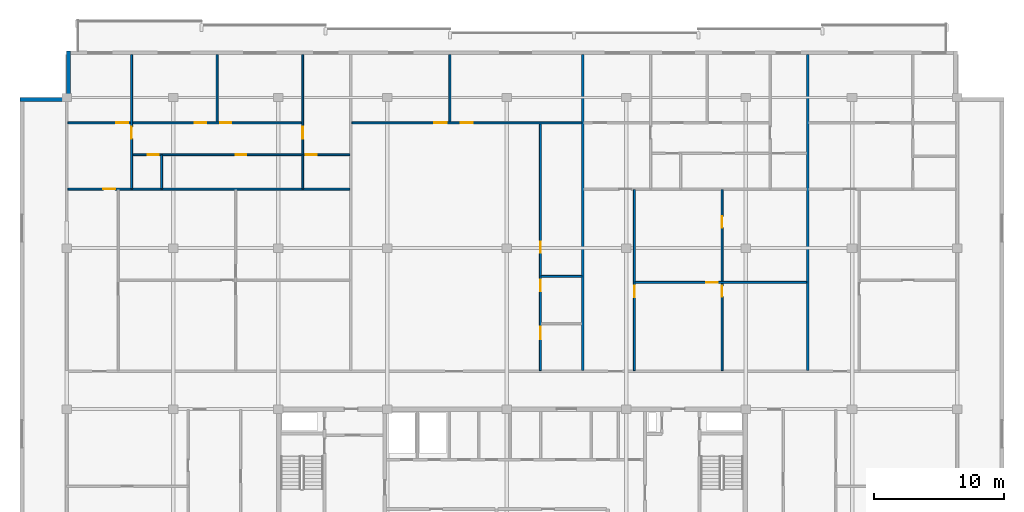
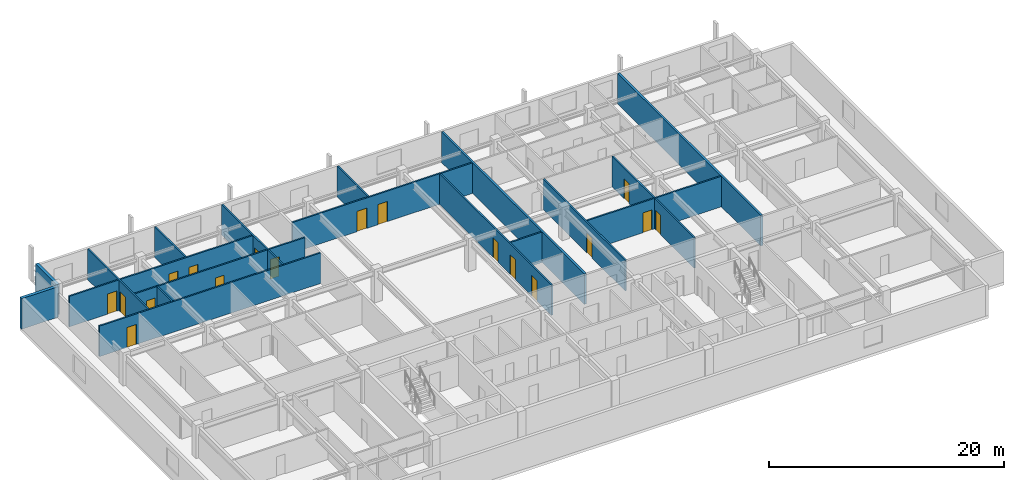
# One storey, part 6 of 10: 19 walls, 18 doors, 18 openings.
"""IFC4 building model written with IfcOpenShell, lengths in metres."""

from ifc_helpers import new_model, si_unit, direction, frame, frame_2d, origin, place, context, subcontext, project, spatial, rectangle, extrude, material, layer, layer_set, type_object, element, fill, save


model = new_model("IFC4")

# Units and contexts
model_context = context("Model", 3, precision=1e-05, world=origin(), true_north=direction((0.0, 1.0)))
body_context = subcontext(model_context, "Body", "Model", "MODEL_VIEW")
ifc_project = project(units=[si_unit("LENGTHUNIT", "METRE"), si_unit("AREAUNIT", "SQUARE_METRE"), si_unit("VOLUMEUNIT", "CUBIC_METRE"), si_unit("PLANEANGLEUNIT", "RADIAN"), si_unit("MASSUNIT", "GRAM", prefix="KILO")], contexts=[model_context])

# Site, building, storey
site_placement = place(None, origin())
site = spatial("IfcSite", under=ifc_project, at=site_placement, CompositionType="ELEMENT")
building_placement = place(site_placement, origin())
building = spatial("IfcBuilding", under=site, at=building_placement, Name="Korimba Cascade Residences", CompositionType="ELEMENT")
storey_placement = place(building_placement, frame((0.0, 0.0, 232.10009765625)))
storey = spatial("IfcBuildingStorey", under=building, at=storey_placement, Name="L67", CompositionType="ELEMENT", Elevation=232.10009765625)

# Walls
ifc_material_1 = material(Name="Precast concrete C40/50", Category="concrete")
ifc_layer_1 = layer(ifc_material_1, 0.300048828125)
ifc_layer_set_1 = layer_set([ifc_layer_1], Name="Precast concrete C40/50")
wall_type_1 = type_object("IfcWallType", Name="EW-STONE-300", PredefinedType="STANDARD", material=ifc_layer_set_1)
for number, where, z_axis, x_axis, name in (
    (1, (59.949951171875, 94.800048828125, 0.0), (0.0, 0.0, 1.0), (0.0, -1.0, 0.0), "L67 T1 Perimeter Stone Wall E07"),
    (2, (59.800048828125, 91.050048828125, 0.0), (0.0, 0.0, 1.0), (-1.0, 0.0, 0.0), "L67 T1 Perimeter Stone Wall E08"),
):
    element("IfcWall", number, at=place(storey_placement, frame(where, z_axis=z_axis, x_axis=x_axis)), inside=storey, type_object=wall_type_1, Name=name, PredefinedType="STANDARD", context=body_context, shape_type="SweptSolid", body=[
        extrude(rectangle(XDim=3.60009765625, YDim=0.300048828125, at=frame_2d((1.800048828125, 0.0))), origin(), (0.0, 0.0, 1.0), 3.169921875),
    ])
ifc_layer_2 = layer(ifc_material_1, 0.199951171875)
ifc_layer_set_2 = layer_set([ifc_layer_2], Name="Precast concrete C40/50")
wall_type_2 = type_object("IfcWallType", Name="WAL-IT-200", PredefinedType="PARTITIONING", material=ifc_layer_set_2)
for number, where, z_axis, x_axis, name in (
    (3, (99.5556640625, 70.179931640625, 0.0), (0.0, 0.0, 1.0), (0.0, 1.0, 0.0), "L67 Partition Wall WAL-L67-T1-DEM-2"),
    (4, (116.86962890625, 70.179931640625, 0.0), (0.0, 0.0, 1.0), (0.0, 1.0, 0.0), "L67 Partition Wall WAL-L67-T1-DEM-3"),
):
    element("IfcWall", number, at=place(storey_placement, frame(where, z_axis=z_axis, x_axis=x_axis)), inside=storey, type_object=wall_type_2, Name=name, PredefinedType="PARTITIONING", context=body_context, shape_type="SweptSolid", body=[
        extrude(rectangle(XDim=24.320068359375, YDim=0.199951171875, at=frame_2d((12.16015625, 0.0))), origin(), (0.0, 0.0, 1.0), 3.169921875),
    ])
ifc_material_2 = material(Name="Insulated Acoustic Stud Partition", Category="gypsum")
ifc_layer_3 = layer(ifc_material_2, 0.14990234375)
ifc_layer_set_3 = layer_set([ifc_layer_3], Name="Insulated Acoustic Stud Partition")
wall_type_3 = type_object("IfcWallType", Name="WAL-PART-150", PredefinedType="PARTITIONING", material=ifc_layer_set_3)
wall_1_placement = place(storey_placement, frame((67.110107421875, 84.18994140625, 0.0), z_axis=(0.0, 0.0, 1.0), x_axis=(0.0, 1.0, 0.0)))
element("IfcWall", 5, at=wall_1_placement, inside=storey, type_object=wall_type_3, Name="L67 Partition Wall WAL-L67-T1-U01-VDRS", PredefinedType="PARTITIONING", context=body_context, shape_type="SweptSolid", body=[
    extrude(rectangle(XDim=2.580078125, YDim=0.14990234375, at=frame_2d((1.2900390625, 0.0))), origin(), (0.0, 0.0, 1.0), 3.169921875),
])
wall_2_placement = place(storey_placement, frame((71.389892578125, 89.330078125, 0.0), z_axis=(0.0, 0.0, 1.0), x_axis=(0.0, 1.0, 0.0)))
element("IfcWall", 6, at=wall_2_placement, inside=storey, type_object=wall_type_3, Name="L67 Partition Wall WAL-L67-T1-U01-VB3", PredefinedType="PARTITIONING", context=body_context, shape_type="SweptSolid", body=[
    extrude(rectangle(XDim=5.169921875, YDim=0.14990234375, at=frame_2d((2.5849609375, 0.0))), origin(), (0.0, 0.0, 1.0), 3.169921875),
])

# Wall, opening, door
wall_3_placement = place(storey_placement, frame((64.800048828125, 84.18994140625, 0.0), z_axis=(0.0, 0.0, 1.0), x_axis=(0.0, 1.0, 0.0)))
wall_3 = element("IfcWall", 7, at=wall_3_placement, inside=storey, type_object=wall_type_3, Name="L67 Partition Wall WAL-L67-T1-U01-V1", PredefinedType="PARTITIONING", context=body_context, shape_type="SweptSolid", body=[
    extrude(rectangle(XDim=10.31005859375, YDim=0.14990234375, at=frame_2d((5.155029296875, 0.0))), origin(), (0.0, 0.0, 1.0), 3.169921875),
])
opening_1_placement = place(wall_3_placement, frame((3.820068359375, 0.0, 0.0)))
opening_1 = element("IfcOpeningElement", 8, at=opening_1_placement, cuts=wall_3, Name="Opening D-IN1", PredefinedType="OPENING", context=body_context, shape_type="SweptSolid", body=[
    extrude(rectangle(XDim=0.919921875, YDim=2.080078125, at=frame_2d((0.4599609375, 1.0400390625))), frame((0.0, 0.0849609375, 0.0), z_axis=(0.0, -1.0, 0.0), x_axis=(1.0, 0.0, 0.0)), (0.0, 0.0, 1.0), 0.169921875),
])
ifc_material_3 = material(Name="Acoustic Timber Living Door", Category="wood")
door_type_1 = type_object("IfcDoorType", Name="DR-INT-920", OperationType="NOTDEFINED", PredefinedType="DOOR", material=ifc_material_3)
door_1_placement = place(opening_1_placement, origin())
door_1 = element("IfcDoor", 9, at=door_1_placement, inside=storey, type_object=door_type_1, Name="L67-T1-U01 Hallway Door", OperationType="SINGLE_SWING_RIGHT", OverallHeight=2.080078125, OverallWidth=0.919921875, PredefinedType="DOOR", context=body_context, shape_type="SweptSolid", body=[
    extrude(rectangle(XDim=0.919921875, YDim=2.080078125, at=frame_2d((0.4599609375, 1.0400390625))), frame((0.0, 0.02490234375, 0.0), z_axis=(0.0, -1.0, 0.0), x_axis=(1.0, 0.0, 0.0)), (0.0, 0.0, 1.0), 0.050048828125),
])
fill(opening_1, door_1)

# Wall
wall_4_placement = place(storey_placement, frame((77.97998046875, 84.18994140625, 0.0), z_axis=(0.0, 0.0, 1.0), x_axis=(0.0, 1.0, 0.0)))
element("IfcWall", 10, at=wall_4_placement, inside=storey, type_object=wall_type_3, Name="L67 Partition Wall WAL-L67-T1-U01-VBATH", PredefinedType="PARTITIONING", context=body_context, shape_type="SweptSolid", body=[
    extrude(rectangle(XDim=2.580078125, YDim=0.14990234375, at=frame_2d((1.2900390625, 0.0))), origin(), (0.0, 0.0, 1.0), 3.169921875),
])

# Wall, opening, door
wall_5_placement = place(storey_placement, frame((77.97998046875, 86.81005859375, 0.0), z_axis=(0.0, 0.0, 1.0), x_axis=(0.0, 1.0, 0.0)))
wall_5 = element("IfcWall", 11, at=wall_5_placement, inside=storey, type_object=wall_type_3, Name="L67 Partition Wall WAL-L67-T1-U01-V2FULL", PredefinedType="PARTITIONING", context=body_context, shape_type="SweptSolid", body=[
    extrude(rectangle(XDim=7.68994140625, YDim=0.14990234375, at=frame_2d((3.844970703125, 0.0))), origin(), (0.0, 0.0, 1.0), 3.169921875),
])
opening_2_placement = place(wall_5_placement, frame((1.199951171875, 0.0, 0.0)))
opening_2 = element("IfcOpeningElement", 12, at=opening_2_placement, cuts=wall_5, Name="Opening D-IN1", PredefinedType="OPENING", context=body_context, shape_type="SweptSolid", body=[
    extrude(rectangle(XDim=0.919921875, YDim=2.080078125, at=frame_2d((0.4599609375, 1.0400390625))), frame((0.0, 0.0849609375, 0.0), z_axis=(0.0, -1.0, 0.0), x_axis=(1.0, 0.0, 0.0)), (0.0, 0.0, 1.0), 0.169921875),
])
door_2_placement = place(opening_2_placement, origin())
door_2 = element("IfcDoor", 13, at=door_2_placement, inside=storey, type_object=door_type_1, Name="L67-T1-U01 Master Bedroom Door", OperationType="SINGLE_SWING_LEFT", OverallHeight=2.080078125, OverallWidth=0.919921875, PredefinedType="DOOR", context=body_context, shape_type="SweptSolid", body=[
    extrude(rectangle(XDim=0.919921875, YDim=2.080078125, at=frame_2d((0.4599609375, 1.0400390625))), frame((0.0, 0.02490234375, 0.0), z_axis=(0.0, -1.0, 0.0), x_axis=(1.0, 0.0, 0.0)), (0.0, 0.0, 1.0), 0.050048828125),
])
fill(opening_2, door_2)

# Wall, openings, doors
wall_6_placement = place(storey_placement, frame((64.840087890625, 86.7900390625, 0.0), z_axis=(0.0, 0.0, 1.0), x_axis=(1.0, 0.0, 0.0)))
wall_6 = element("IfcWall", 14, at=wall_6_placement, inside=storey, type_object=wall_type_3, Name="L67 Partition Wall WAL-L67-T1-U01-HWALL", PredefinedType="PARTITIONING", context=body_context, shape_type="SweptSolid", body=[
    extrude(rectangle(XDim=16.767333984375, YDim=0.14990234375, at=frame_2d((8.3837890625, 0.0))), origin(), (0.0, 0.0, 1.0), 3.169921875),
])
opening_3_placement = place(wall_6_placement, frame((1.19091796875, 0.0, 0.0)))
opening_3 = element("IfcOpeningElement", 15, at=opening_3_placement, cuts=wall_6, Name="Opening D-BT1", PredefinedType="OPENING", context=body_context, shape_type="SweptSolid", body=[
    extrude(rectangle(XDim=0.840087890625, YDim=2.0400390625, at=frame_2d((0.419921875, 1.02001953125))), frame((0.0, 0.0849609375, 0.0), z_axis=(0.0, -1.0, 0.0), x_axis=(1.0, 0.0, 0.0)), (0.0, 0.0, 1.0), 0.169921875),
])
opening_4_placement = place(wall_6_placement, frame((7.963623046875, 0.0, 0.0)))
opening_4 = element("IfcOpeningElement", 16, at=opening_4_placement, cuts=wall_6, Name="Opening D-BT1", PredefinedType="OPENING", context=body_context, shape_type="SweptSolid", body=[
    extrude(rectangle(XDim=0.840087890625, YDim=2.0400390625, at=frame_2d((0.419921875, 1.02001953125))), frame((0.0, 0.0849609375, 0.0), z_axis=(0.0, -1.0, 0.0), x_axis=(1.0, 0.0, 0.0)), (0.0, 0.0, 1.0), 0.169921875),
])
opening_5_placement = place(wall_6_placement, frame((13.389892578125, 0.0, 0.0)))
opening_5 = element("IfcOpeningElement", 17, at=opening_5_placement, cuts=wall_6, Name="Opening D-BT1", PredefinedType="OPENING", context=body_context, shape_type="SweptSolid", body=[
    extrude(rectangle(XDim=0.840087890625, YDim=2.0400390625, at=frame_2d((0.419921875, 1.02001953125))), frame((0.0, 0.0849609375, 0.0), z_axis=(0.0, -1.0, 0.0), x_axis=(1.0, 0.0, 0.0)), (0.0, 0.0, 1.0), 0.169921875),
])
ifc_material_4 = material(Name="Moisture-Resistant Bathroom Timber Door", Category="wood")
door_type_2 = type_object("IfcDoorType", Name="DR-INT-850", OperationType="NOTDEFINED", PredefinedType="DOOR", material=ifc_material_4)
door_3_placement = place(opening_3_placement, origin())
door_3 = element("IfcDoor", 18, at=door_3_placement, inside=storey, type_object=door_type_2, Name="L67-T1-U01 Family Bathroom Door", OperationType="SINGLE_SWING_RIGHT", OverallHeight=2.0400390625, OverallWidth=0.840087890625, PredefinedType="DOOR", context=body_context, shape_type="SweptSolid", body=[
    extrude(rectangle(XDim=0.840087890625, YDim=2.0400390625, at=frame_2d((0.419921875, 1.02001953125))), frame((0.0, 0.02490234375, 0.0), z_axis=(0.0, -1.0, 0.0), x_axis=(1.0, 0.0, 0.0)), (0.0, 0.0, 1.0), 0.050048828125),
])
fill(opening_3, door_3)
door_4_placement = place(opening_4_placement, origin())
door_4 = element("IfcDoor", 19, at=door_4_placement, inside=storey, type_object=door_type_2, Name="L67-T1-U01 Dressing Room Door", OperationType="SINGLE_SWING_LEFT", OverallHeight=2.0400390625, OverallWidth=0.840087890625, PredefinedType="DOOR", context=body_context, shape_type="SweptSolid", body=[
    extrude(rectangle(XDim=0.840087890625, YDim=2.0400390625, at=frame_2d((0.419921875, 1.02001953125))), frame((0.0, 0.02490234375, 0.0), z_axis=(0.0, -1.0, 0.0), x_axis=(1.0, 0.0, 0.0)), (0.0, 0.0, 1.0), 0.050048828125),
])
fill(opening_4, door_4)
door_5_placement = place(opening_5_placement, origin())
door_5 = element("IfcDoor", 20, at=door_5_placement, inside=storey, type_object=door_type_2, Name="L67-T1-U01 En-Suite Door", OperationType="SINGLE_SWING_RIGHT", OverallHeight=2.0400390625, OverallWidth=0.840087890625, PredefinedType="DOOR", context=body_context, shape_type="SweptSolid", body=[
    extrude(rectangle(XDim=0.840087890625, YDim=2.0400390625, at=frame_2d((0.419921875, 1.02001953125))), frame((0.0, 0.02490234375, 0.0), z_axis=(0.0, -1.0, 0.0), x_axis=(1.0, 0.0, 0.0)), (0.0, 0.0, 1.0), 0.050048828125),
])
fill(opening_5, door_5)

# Wall, opening, door
wall_7_placement = place(storey_placement, frame((59.8798828125, 84.14990234375, 0.0), z_axis=(0.0, 0.0, 1.0), x_axis=(1.0, 0.0, 0.0)))
wall_7 = element("IfcWall", 21, at=wall_7_placement, inside=storey, type_object=wall_type_3, Name="L67 Partition Wall WAL-L67-T1-U01-MW", PredefinedType="PARTITIONING", context=body_context, shape_type="SweptSolid", body=[
    extrude(rectangle(XDim=21.7275390625, YDim=0.14990234375, at=frame_2d((10.86376953125, 0.0))), origin(), (0.0, 0.0, 1.0), 3.169921875),
])
opening_6_placement = place(wall_7_placement, frame((2.719970703125, 0.0, 0.0)))
opening_6 = element("IfcOpeningElement", 22, at=opening_6_placement, cuts=wall_7, Name="Opening D-IN1", PredefinedType="OPENING", context=body_context, shape_type="SweptSolid", body=[
    extrude(rectangle(XDim=0.919921875, YDim=2.080078125, at=frame_2d((0.4599609375, 1.0400390625))), frame((0.0, 0.0849609375, 0.0), z_axis=(0.0, -1.0, 0.0), x_axis=(1.0, 0.0, 0.0)), (0.0, 0.0, 1.0), 0.169921875),
])
door_6_placement = place(opening_6_placement, origin())
door_6 = element("IfcDoor", 23, at=door_6_placement, inside=storey, type_object=door_type_1, Name="L67-T1-U01 Kitchen Door", OperationType="SINGLE_SWING_LEFT", OverallHeight=2.080078125, OverallWidth=0.919921875, PredefinedType="DOOR", context=body_context, shape_type="SweptSolid", body=[
    extrude(rectangle(XDim=0.919921875, YDim=2.080078125, at=frame_2d((0.4599609375, 1.0400390625))), frame((0.0, 0.02490234375, 0.0), z_axis=(0.0, -1.0, 0.0), x_axis=(1.0, 0.0, 0.0)), (0.0, 0.0, 1.0), 0.050048828125),
])
fill(opening_6, door_6)

# Wall, openings, doors
wall_8_placement = place(storey_placement, frame((59.8798828125, 89.25, 0.0), z_axis=(0.0, 0.0, 1.0), x_axis=(1.0, 0.0, 0.0)))
wall_8 = element("IfcWall", 24, at=wall_8_placement, inside=storey, type_object=wall_type_3, Name="L67 Partition Wall WAL-L67-T1-U01-HZ", PredefinedType="PARTITIONING", context=body_context, shape_type="SweptSolid", body=[
    extrude(rectangle(XDim=18.10009765625, YDim=0.14990234375, at=frame_2d((9.050048828125, 0.0))), origin(), (0.0, 0.0, 1.0), 3.169921875),
])
opening_7_placement = place(wall_8_placement, frame((3.72998046875, 0.0, 0.0)))
opening_7 = element("IfcOpeningElement", 25, at=opening_7_placement, cuts=wall_8, Name="Opening D-IN0", PredefinedType="OPENING", context=body_context, shape_type="SweptSolid", body=[
    extrude(rectangle(XDim=0.93994140625, YDim=2.10009765625, at=frame_2d((0.469970703125, 1.050048828125))), frame((0.0, 0.0849609375, 0.0), z_axis=(0.0, -1.0, 0.0), x_axis=(1.0, 0.0, 0.0)), (0.0, 0.0, 1.0), 0.169921875),
])
opening_8_placement = place(wall_8_placement, frame((9.777587890625, 0.0, 0.0)))
opening_8 = element("IfcOpeningElement", 26, at=opening_8_placement, cuts=wall_8, Name="Opening D-IN2", PredefinedType="OPENING", context=body_context, shape_type="SweptSolid", body=[
    extrude(rectangle(XDim=0.8798828125, YDim=2.06005859375, at=frame_2d((0.43994140625, 1.030029296875))), frame((0.0, 0.0849609375, 0.0), z_axis=(0.0, -1.0, 0.0), x_axis=(1.0, 0.0, 0.0)), (0.0, 0.0, 1.0), 0.169921875),
])
opening_9_placement = place(wall_8_placement, frame((11.72998046875, 0.0, 0.0)))
opening_9 = element("IfcOpeningElement", 27, at=opening_9_placement, cuts=wall_8, Name="Opening D-IN2", PredefinedType="OPENING", context=body_context, shape_type="SweptSolid", body=[
    extrude(rectangle(XDim=0.8798828125, YDim=2.06005859375, at=frame_2d((0.43994140625, 1.030029296875))), frame((0.0, 0.0849609375, 0.0), z_axis=(0.0, -1.0, 0.0), x_axis=(1.0, 0.0, 0.0)), (0.0, 0.0, 1.0), 0.169921875),
])
ifc_material_5 = material(Name="Acoustic Timber Bedroom Door", Category="wood")
door_type_3 = type_object("IfcDoorType", Name="DR-INT-880", OperationType="NOTDEFINED", PredefinedType="DOOR", material=ifc_material_5)
door_7_placement = place(opening_8_placement, origin())
door_7 = element("IfcDoor", 28, at=door_7_placement, inside=storey, type_object=door_type_3, Name="L67-T1-U01 Bedroom 2 Door", OperationType="SINGLE_SWING_LEFT", OverallHeight=2.06005859375, OverallWidth=0.8798828125, PredefinedType="DOOR", context=body_context, shape_type="SweptSolid", body=[
    extrude(rectangle(XDim=0.8798828125, YDim=2.06005859375, at=frame_2d((0.43994140625, 1.030029296875))), frame((0.0, 0.02490234375, 0.0), z_axis=(0.0, -1.0, 0.0), x_axis=(1.0, 0.0, 0.0)), (0.0, 0.0, 1.0), 0.050048828125),
])
fill(opening_8, door_7)
door_8_placement = place(opening_9_placement, origin())
door_8 = element("IfcDoor", 29, at=door_8_placement, inside=storey, type_object=door_type_3, Name="L67-T1-U01 Bedroom 3 Door", OperationType="SINGLE_SWING_RIGHT", OverallHeight=2.06005859375, OverallWidth=0.8798828125, PredefinedType="DOOR", context=body_context, shape_type="SweptSolid", body=[
    extrude(rectangle(XDim=0.8798828125, YDim=2.06005859375, at=frame_2d((0.43994140625, 1.030029296875))), frame((0.0, 0.02490234375, 0.0), z_axis=(0.0, -1.0, 0.0), x_axis=(1.0, 0.0, 0.0)), (0.0, 0.0, 1.0), 0.050048828125),
])
fill(opening_9, door_8)
ifc_material_6 = material(Name="Acoustic Timber Living Archway Door", Category="wood")
door_type_4 = type_object("IfcDoorType", Name="DR-INT-950", OperationType="NOTDEFINED", PredefinedType="DOOR", material=ifc_material_6)
door_9_placement = place(opening_7_placement, origin())
door_9 = element("IfcDoor", 30, at=door_9_placement, inside=storey, type_object=door_type_4, Name="L67-T1-U01 Living Room Door", OperationType="SINGLE_SWING_RIGHT", OverallHeight=2.10009765625, OverallWidth=0.93994140625, PredefinedType="DOOR", context=body_context, shape_type="SweptSolid", body=[
    extrude(rectangle(XDim=0.93994140625, YDim=2.10009765625, at=frame_2d((0.469970703125, 1.050048828125))), frame((0.0, 0.02490234375, 0.0), z_axis=(0.0, -1.0, 0.0), x_axis=(1.0, 0.0, 0.0)), (0.0, 0.0, 1.0), 0.050048828125),
])
fill(opening_7, door_9)

# Wall
wall_9_placement = place(storey_placement, frame((96.345703125, 77.419921875, 0.0), z_axis=(0.0, 0.0, 1.0), x_axis=(1.0, 0.0, 0.0)))
element("IfcWall", 31, at=wall_9_placement, inside=storey, type_object=wall_type_3, Name="L67 Partition Wall WAL-L67-T1-U02-WCH2", PredefinedType="PARTITIONING", context=body_context, shape_type="SweptSolid", body=[
    extrude(rectangle(XDim=3.1298828125, YDim=0.14990234375, at=frame_2d((1.56494140625, 0.0))), origin(), (0.0, 0.0, 1.0), 3.169921875),
])

# Wall, openings, doors
wall_10_placement = place(storey_placement, frame((96.28564453125, 70.159912109375, 0.0), z_axis=(0.0, 0.0, 1.0), x_axis=(0.0, 1.0, 0.0)))
wall_10 = element("IfcWall", 32, at=wall_10_placement, inside=storey, type_object=wall_type_3, Name="L67 Partition Wall WAL-L67-T1-U02-WCV", PredefinedType="PARTITIONING", context=body_context, shape_type="SweptSolid", body=[
    extrude(rectangle(XDim=19.030029296875, YDim=0.14990234375, at=frame_2d((9.51513671875, 0.0))), origin(), (0.0, 0.0, 1.0), 3.169921875),
])
opening_10_placement = place(wall_10_placement, frame((2.406005859375, 0.0, 0.0)))
opening_10 = element("IfcOpeningElement", 33, at=opening_10_placement, cuts=wall_10, Name="Opening D-AC1", PredefinedType="OPENING", context=body_context, shape_type="SweptSolid", body=[
    extrude(rectangle(XDim=0.9599609375, YDim=2.10009765625, at=frame_2d((0.47998046875, 1.050048828125))), frame((0.0, 0.0849609375, 0.0), z_axis=(0.0, -1.0, 0.0), x_axis=(1.0, 0.0, 0.0)), (0.0, 0.0, 1.0), 0.169921875),
])
opening_11_placement = place(wall_10_placement, frame((6.132568359375, 0.0, 0.0)))
opening_11 = element("IfcOpeningElement", 34, at=opening_11_placement, cuts=wall_10, Name="Opening D-IN2", PredefinedType="OPENING", context=body_context, shape_type="SweptSolid", body=[
    extrude(rectangle(XDim=0.8798828125, YDim=2.06005859375, at=frame_2d((0.43994140625, 1.030029296875))), frame((0.0, 0.0849609375, 0.0), z_axis=(0.0, -1.0, 0.0), x_axis=(1.0, 0.0, 0.0)), (0.0, 0.0, 1.0), 0.169921875),
])
opening_12_placement = place(wall_10_placement, frame((9.094970703125, 0.0, 0.0)))
opening_12 = element("IfcOpeningElement", 35, at=opening_12_placement, cuts=wall_10, Name="Opening D-BT1", PredefinedType="OPENING", context=body_context, shape_type="SweptSolid", body=[
    extrude(rectangle(XDim=0.840087890625, YDim=2.0400390625, at=frame_2d((0.419921875, 1.02001953125))), frame((0.0, 0.0849609375, 0.0), z_axis=(0.0, -1.0, 0.0), x_axis=(1.0, 0.0, 0.0)), (0.0, 0.0, 1.0), 0.169921875),
])
ifc_material_7 = material(Name="Accessible Acoustic Timber WC Door", Category="wood")
door_type_5 = type_object("IfcDoorType", Name="DR-ACC-950", OperationType="NOTDEFINED", PredefinedType="DOOR", material=ifc_material_7)
door_10_placement = place(opening_10_placement, origin())
door_10 = element("IfcDoor", 36, at=door_10_placement, inside=storey, type_object=door_type_5, Name="L67-T1-U02 Accessible WC Door", OperationType="SINGLE_SWING_LEFT", OverallHeight=2.10009765625, OverallWidth=0.9599609375, PredefinedType="DOOR", context=body_context, shape_type="SweptSolid", body=[
    extrude(rectangle(XDim=0.9599609375, YDim=2.10009765625, at=frame_2d((0.47998046875, 1.050048828125))), frame((0.0, 0.02490234375, 0.0), z_axis=(0.0, -1.0, 0.0), x_axis=(1.0, 0.0, 0.0)), (0.0, 0.0, 1.0), 0.050048828125),
])
fill(opening_10, door_10)
door_11_placement = place(opening_12_placement, origin())
door_11 = element("IfcDoor", 37, at=door_11_placement, inside=storey, type_object=door_type_2, Name="L67-T1-U02 Suite Store Door", OperationType="SINGLE_SWING_LEFT", OverallHeight=2.0400390625, OverallWidth=0.840087890625, PredefinedType="DOOR", context=body_context, shape_type="SweptSolid", body=[
    extrude(rectangle(XDim=0.840087890625, YDim=2.0400390625, at=frame_2d((0.419921875, 1.02001953125))), frame((0.0, 0.02490234375, 0.0), z_axis=(0.0, -1.0, 0.0), x_axis=(1.0, 0.0, 0.0)), (0.0, 0.0, 1.0), 0.050048828125),
])
fill(opening_12, door_11)
door_12_placement = place(opening_11_placement, origin())
door_12 = element("IfcDoor", 38, at=door_12_placement, inside=storey, type_object=door_type_3, Name="L67-T1-U02 Restroom WC Door", OperationType="SINGLE_SWING_RIGHT", OverallHeight=2.06005859375, OverallWidth=0.8798828125, PredefinedType="DOOR", context=body_context, shape_type="SweptSolid", body=[
    extrude(rectangle(XDim=0.8798828125, YDim=2.06005859375, at=frame_2d((0.43994140625, 1.030029296875))), frame((0.0, 0.02490234375, 0.0), z_axis=(0.0, -1.0, 0.0), x_axis=(1.0, 0.0, 0.0)), (0.0, 0.0, 1.0), 0.050048828125),
])
fill(opening_11, door_12)

# Wall
wall_11_placement = place(storey_placement, frame((89.31640625, 89.330078125, 0.0), z_axis=(0.0, 0.0, 1.0), x_axis=(0.0, 1.0, 0.0)))
element("IfcWall", 39, at=wall_11_placement, inside=storey, type_object=wall_type_3, Name="L67 Partition Wall WAL-L67-T1-U02-OUTV", PredefinedType="PARTITIONING", context=body_context, shape_type="SweptSolid", body=[
    extrude(rectangle(XDim=5.169921875, YDim=0.14990234375, at=frame_2d((2.5849609375, 0.0))), origin(), (0.0, 0.0, 1.0), 3.169921875),
])

# Wall, openings, doors
wall_12_placement = place(storey_placement, frame((81.767333984375, 89.25, 0.0), z_axis=(0.0, 0.0, 1.0), x_axis=(1.0, 0.0, 0.0)))
wall_12 = element("IfcWall", 40, at=wall_12_placement, inside=storey, type_object=wall_type_3, Name="L67 Partition Wall WAL-L67-T1-U02-HZ", PredefinedType="PARTITIONING", context=body_context, shape_type="SweptSolid", body=[
    extrude(rectangle(XDim=17.708251953125, YDim=0.14990234375, at=frame_2d((8.85400390625, 0.0))), origin(), (0.0, 0.0, 1.0), 3.169921875),
])
opening_13_placement = place(wall_12_placement, frame((6.359130859375, 0.0, 0.0)))
opening_13 = element("IfcOpeningElement", 41, at=opening_13_placement, cuts=wall_12, Name="Opening D-IN0", PredefinedType="OPENING", context=body_context, shape_type="SweptSolid", body=[
    extrude(rectangle(XDim=0.93994140625, YDim=2.10009765625, at=frame_2d((0.469970703125, 1.050048828125))), frame((0.0, 0.0849609375, 0.0), z_axis=(0.0, -1.0, 0.0), x_axis=(1.0, 0.0, 0.0)), (0.0, 0.0, 1.0), 0.169921875),
])
opening_14_placement = place(wall_12_placement, frame((8.384033203125, 0.0, 0.0)))
opening_14 = element("IfcOpeningElement", 42, at=opening_14_placement, cuts=wall_12, Name="Opening D-IN0", PredefinedType="OPENING", context=body_context, shape_type="SweptSolid", body=[
    extrude(rectangle(XDim=0.93994140625, YDim=2.10009765625, at=frame_2d((0.469970703125, 1.050048828125))), frame((0.0, 0.0849609375, 0.0), z_axis=(0.0, -1.0, 0.0), x_axis=(1.0, 0.0, 0.0)), (0.0, 0.0, 1.0), 0.169921875),
])
door_13_placement = place(opening_13_placement, origin())
door_13 = element("IfcDoor", 43, at=door_13_placement, inside=storey, type_object=door_type_4, Name="L67-T1-U02 Resident Boardroom Door", OperationType="SINGLE_SWING_RIGHT", OverallHeight=2.10009765625, OverallWidth=0.93994140625, PredefinedType="DOOR", context=body_context, shape_type="SweptSolid", body=[
    extrude(rectangle(XDim=0.93994140625, YDim=2.10009765625, at=frame_2d((0.469970703125, 1.050048828125))), frame((0.0, 0.02490234375, 0.0), z_axis=(0.0, -1.0, 0.0), x_axis=(1.0, 0.0, 0.0)), (0.0, 0.0, 1.0), 0.050048828125),
])
fill(opening_13, door_13)
door_14_placement = place(opening_14_placement, origin())
door_14 = element("IfcDoor", 44, at=door_14_placement, inside=storey, type_object=door_type_4, Name="L67-T1-U02 Executive Seminar Room Door", OperationType="SINGLE_SWING_LEFT", OverallHeight=2.10009765625, OverallWidth=0.93994140625, PredefinedType="DOOR", context=body_context, shape_type="SweptSolid", body=[
    extrude(rectangle(XDim=0.93994140625, YDim=2.10009765625, at=frame_2d((0.469970703125, 1.050048828125))), frame((0.0, 0.02490234375, 0.0), z_axis=(0.0, -1.0, 0.0), x_axis=(1.0, 0.0, 0.0)), (0.0, 0.0, 1.0), 0.050048828125),
])
fill(opening_14, door_14)

wall_13_placement = place(storey_placement, frame((110.28759765625, 70.159912109375, 0.0), z_axis=(0.0, 0.0, 1.0), x_axis=(0.0, 1.0, 0.0)))
wall_13 = element("IfcWall", 45, at=wall_13_placement, inside=storey, type_object=wall_type_3, Name="L67 Partition Wall WAL-L67-T1-U03-FMV", PredefinedType="PARTITIONING", context=body_context, shape_type="SweptSolid", body=[
    extrude(rectangle(XDim=13.9501953125, YDim=0.14990234375, at=frame_2d((6.97509765625, 0.0))), origin(), (0.0, 0.0, 1.0), 3.169921875),
])
opening_15_placement = place(wall_13_placement, frame((5.705078125, 0.0, 0.0)))
opening_15 = element("IfcOpeningElement", 46, at=opening_15_placement, cuts=wall_13, Name="Opening D-BT1", PredefinedType="OPENING", context=body_context, shape_type="SweptSolid", body=[
    extrude(rectangle(XDim=0.840087890625, YDim=2.0400390625, at=frame_2d((0.419921875, 1.02001953125))), frame((0.0, 0.0849609375, 0.0), z_axis=(0.0, -1.0, 0.0), x_axis=(1.0, 0.0, 0.0)), (0.0, 0.0, 1.0), 0.169921875),
])
opening_16_placement = place(wall_13_placement, frame((11.017578125, 0.0, 0.0)))
opening_16 = element("IfcOpeningElement", 47, at=opening_16_placement, cuts=wall_13, Name="Opening D-IN2", PredefinedType="OPENING", context=body_context, shape_type="SweptSolid", body=[
    extrude(rectangle(XDim=0.8798828125, YDim=2.06005859375, at=frame_2d((0.43994140625, 1.030029296875))), frame((0.0, 0.0849609375, 0.0), z_axis=(0.0, -1.0, 0.0), x_axis=(1.0, 0.0, 0.0)), (0.0, 0.0, 1.0), 0.169921875),
])
door_15_placement = place(opening_15_placement, origin())
door_15 = element("IfcDoor", 48, at=door_15_placement, inside=storey, type_object=door_type_2, Name="L67-T1-U03 Wardrobe Door", OperationType="SINGLE_SWING_RIGHT", OverallHeight=2.0400390625, OverallWidth=0.840087890625, PredefinedType="DOOR", context=body_context, shape_type="SweptSolid", body=[
    extrude(rectangle(XDim=0.840087890625, YDim=2.0400390625, at=frame_2d((0.419921875, 1.02001953125))), frame((0.0, 0.02490234375, 0.0), z_axis=(0.0, -1.0, 0.0), x_axis=(1.0, 0.0, 0.0)), (0.0, 0.0, 1.0), 0.050048828125),
])
fill(opening_15, door_15)
door_16_placement = place(opening_16_placement, origin())
door_16 = element("IfcDoor", 49, at=door_16_placement, inside=storey, type_object=door_type_3, Name="L67-T1-U03 Music Lounge Door", OperationType="SINGLE_SWING_LEFT", OverallHeight=2.06005859375, OverallWidth=0.8798828125, PredefinedType="DOOR", context=body_context, shape_type="SweptSolid", body=[
    extrude(rectangle(XDim=0.8798828125, YDim=2.06005859375, at=frame_2d((0.43994140625, 1.030029296875))), frame((0.0, 0.02490234375, 0.0), z_axis=(0.0, -1.0, 0.0), x_axis=(1.0, 0.0, 0.0)), (0.0, 0.0, 1.0), 0.050048828125),
])
fill(opening_16, door_16)

# Wall, opening, door
wall_14_placement = place(storey_placement, frame((103.585693359375, 76.955078125, 0.0), z_axis=(0.0, 0.0, 1.0), x_axis=(1.0, 0.0, 0.0)))
wall_14 = element("IfcWall", 50, at=wall_14_placement, inside=storey, type_object=wall_type_3, Name="L67 Partition Wall WAL-L67-T1-U03-FMH", PredefinedType="PARTITIONING", context=body_context, shape_type="SweptSolid", body=[
    extrude(rectangle(XDim=13.203857421875, YDim=0.14990234375, at=frame_2d((6.60205078125, 0.0))), origin(), (0.0, 0.0, 1.0), 3.169921875),
])
opening_17_placement = place(wall_14_placement, frame((5.4970703125, 0.0, 0.0)))
opening_17 = element("IfcOpeningElement", 51, at=opening_17_placement, cuts=wall_14, Name="Opening D-IN2", PredefinedType="OPENING", context=body_context, shape_type="SweptSolid", body=[
    extrude(rectangle(XDim=0.8798828125, YDim=2.06005859375, at=frame_2d((0.43994140625, 1.030029296875))), frame((0.0, 0.0849609375, 0.0), z_axis=(0.0, -1.0, 0.0), x_axis=(1.0, 0.0, 0.0)), (0.0, 0.0, 1.0), 0.169921875),
])
door_17_placement = place(opening_17_placement, origin())
door_17 = element("IfcDoor", 52, at=door_17_placement, inside=storey, type_object=door_type_3, Name="L67-T1-U03 Library Salon Door", OperationType="SINGLE_SWING_RIGHT", OverallHeight=2.06005859375, OverallWidth=0.8798828125, PredefinedType="DOOR", context=body_context, shape_type="SweptSolid", body=[
    extrude(rectangle(XDim=0.8798828125, YDim=2.06005859375, at=frame_2d((0.43994140625, 1.030029296875))), frame((0.0, 0.02490234375, 0.0), z_axis=(0.0, -1.0, 0.0), x_axis=(1.0, 0.0, 0.0)), (0.0, 0.0, 1.0), 0.050048828125),
])
fill(opening_17, door_17)

wall_15_placement = place(storey_placement, frame((103.525634765625, 70.159912109375, 0.0), z_axis=(0.0, 0.0, 1.0), x_axis=(0.0, 1.0, 0.0)))
wall_15 = element("IfcWall", 53, at=wall_15_placement, inside=storey, type_object=wall_type_3, Name="L67 Partition Wall WAL-L67-T1-U03-FV", PredefinedType="PARTITIONING", context=body_context, shape_type="SweptSolid", body=[
    extrude(rectangle(XDim=13.9501953125, YDim=0.14990234375, at=frame_2d((6.97509765625, 0.0))), origin(), (0.0, 0.0, 1.0), 3.169921875),
])
opening_18_placement = place(wall_15_placement, frame((5.6650390625, 0.0, 0.0)))
opening_18 = element("IfcOpeningElement", 54, at=opening_18_placement, cuts=wall_15, Name="Opening D-IN2", PredefinedType="OPENING", context=body_context, shape_type="SweptSolid", body=[
    extrude(rectangle(XDim=0.8798828125, YDim=2.06005859375, at=frame_2d((0.43994140625, 1.030029296875))), frame((0.0, 0.0849609375, 0.0), z_axis=(0.0, -1.0, 0.0), x_axis=(1.0, 0.0, 0.0)), (0.0, 0.0, 1.0), 0.169921875),
])
door_18_placement = place(opening_18_placement, origin())
door_18 = element("IfcDoor", 55, at=door_18_placement, inside=storey, type_object=door_type_3, Name="L67-T1-U03 Media Lounge Door", OperationType="SINGLE_SWING_LEFT", OverallHeight=2.06005859375, OverallWidth=0.8798828125, PredefinedType="DOOR", context=body_context, shape_type="SweptSolid", body=[
    extrude(rectangle(XDim=0.8798828125, YDim=2.06005859375, at=frame_2d((0.43994140625, 1.030029296875))), frame((0.0, 0.02490234375, 0.0), z_axis=(0.0, -1.0, 0.0), x_axis=(1.0, 0.0, 0.0)), (0.0, 0.0, 1.0), 0.050048828125),
])
fill(opening_18, door_18)

save(model, "model.ifc")
